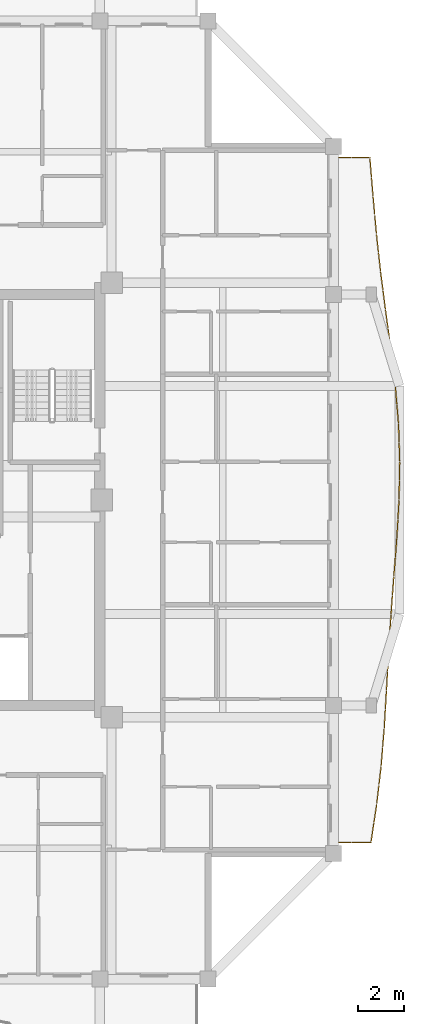
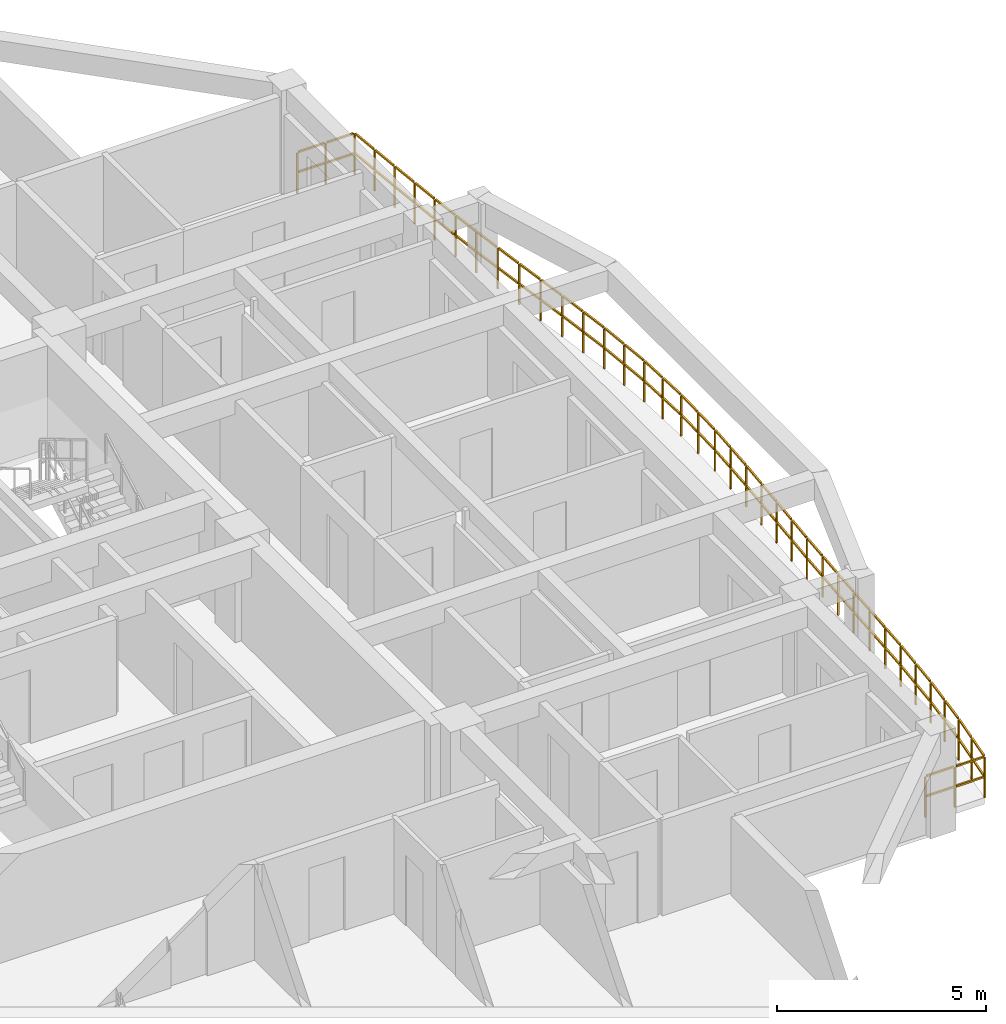
# One storey, part 12 of 13: 1 railing.
"""IFC4 building model written with IfcOpenShell, lengths in metres."""

from ifc_helpers import new_model, si_unit, direction, frame, origin, origin_2d, place, context, subcontext, project, spatial, rectangle, extrude, material, type_object, element, save


model = new_model("IFC4")

# Units and contexts
model_context = context("Model", 3, precision=1e-05, world=origin(), true_north=direction((0.0, 1.0)))
body_context = subcontext(model_context, "Body", "Model", "MODEL_VIEW")
ifc_project = project(units=[si_unit("LENGTHUNIT", "METRE"), si_unit("AREAUNIT", "SQUARE_METRE"), si_unit("VOLUMEUNIT", "CUBIC_METRE"), si_unit("PLANEANGLEUNIT", "RADIAN"), si_unit("MASSUNIT", "GRAM", prefix="KILO")], contexts=[model_context])

# Site, building, storey
site_placement = place(None, origin())
site = spatial("IfcSite", under=ifc_project, at=site_placement, CompositionType="ELEMENT")
building_placement = place(site_placement, origin())
building = spatial("IfcBuilding", under=site, at=building_placement, Name="Saelheon Loggia Tower", CompositionType="ELEMENT")
storey_placement = place(building_placement, frame((0.0, 0.0, 223.199951171875)))
storey = spatial("IfcBuildingStorey", under=building, at=storey_placement, Name="L69", CompositionType="ELEMENT", Elevation=223.199951171875)

# Railing
ifc_material = material(Name="Architectural Precast Concrete and Laminated Glass Guard", Category="concrete")
railing_type = type_object("IfcRailingType", Name="Guard_Loggia_RL_LOG", PredefinedType="BALUSTRADE", material=ifc_material)
railing_placement = place(storey_placement, frame((54.75, 12.0, 0.0)))
element("IfcRailing", 1, at=railing_placement, inside=storey, type_object=railing_type, Name="L69 East Loggia Balustrade", PredefinedType="BALUSTRADE", context=body_context, shape_type="SweptSolid", body=[
    extrude(rectangle(XDim=0.048095703125, YDim=0.048095703125, at=origin_2d()), frame((0.033203125, 0.0, 1.19580078125), z_axis=(1.0, 0.0, 0.0), x_axis=(0.0, 1.0, 0.0)), (0.0, 0.0, 1.0), 0.7509765625),
    extrude(rectangle(XDim=0.048095703125, YDim=0.048095703125, at=origin_2d()), frame((0.033203125, 0.0, 0.60986328125), z_axis=(1.0, 0.0, 0.0), x_axis=(0.0, 1.0, 0.0)), (0.0, 0.0, 1.0), 0.7509765625),
    extrude(rectangle(XDim=0.048095703125, YDim=0.048095703125, at=origin_2d()), frame((0.850830078125, 0.0, 1.19580078125), z_axis=(1.0, 0.0, 0.0), x_axis=(0.0, 1.0, 0.0)), (0.0, 0.0, 1.0), 0.7509765625),
    extrude(rectangle(XDim=0.048095703125, YDim=0.048095703125, at=origin_2d()), frame((0.850830078125, 0.0, 0.60986328125), z_axis=(1.0, 0.0, 0.0), x_axis=(0.0, 1.0, 0.0)), (0.0, 0.0, 1.0), 0.7509765625),
    extrude(rectangle(XDim=0.048095703125, YDim=0.048095703125, at=origin_2d()), frame((1.639892578125, 0.032958984375, 1.19580078125), z_axis=(0.149041602908, 0.988830926196, 0.0), x_axis=(-0.988830926196, 0.149041602908, 0.0)), (0.0, 0.0, 1.0), 0.7763671875),
    extrude(rectangle(XDim=0.048095703125, YDim=0.048095703125, at=origin_2d()), frame((1.639892578125, 0.032958984375, 0.60986328125), z_axis=(0.149041602908, 0.988830926196, 0.0), x_axis=(-0.988830926196, 0.149041602908, 0.0)), (0.0, 0.0, 1.0), 0.7763671875),
    extrude(rectangle(XDim=0.048095703125, YDim=0.048095703125, at=origin_2d()), frame((1.765625, 0.8662109375, 1.19580078125), z_axis=(0.149041602908, 0.988830926196, 0.0), x_axis=(-0.988830926196, 0.149041602908, 0.0)), (0.0, 0.0, 1.0), 0.7763671875),
    extrude(rectangle(XDim=0.048095703125, YDim=0.048095703125, at=origin_2d()), frame((1.765625, 0.8662109375, 0.60986328125), z_axis=(0.149041602908, 0.988830926196, 0.0), x_axis=(-0.988830926196, 0.149041602908, 0.0)), (0.0, 0.0, 1.0), 0.7763671875),
    extrude(rectangle(XDim=0.048095703125, YDim=0.048095703125, at=origin_2d()), frame((1.89013671875, 1.69970703125, 1.19580078125), z_axis=(0.115110168559, 0.993352731458, 0.0), x_axis=(-0.993352731458, 0.115110168559, 0.0)), (0.0, 0.0, 1.0), 0.7724609375),
    extrude(rectangle(XDim=0.048095703125, YDim=0.048095703125, at=origin_2d()), frame((1.89013671875, 1.69970703125, 0.60986328125), z_axis=(0.115110168559, 0.993352731458, 0.0), x_axis=(-0.993352731458, 0.115110168559, 0.0)), (0.0, 0.0, 1.0), 0.7724609375),
    extrude(rectangle(XDim=0.048095703125, YDim=0.048095703125, at=origin_2d()), frame((1.986572265625, 2.532958984375, 1.19580078125), z_axis=(0.115110168559, 0.993352731458, 0.0), x_axis=(-0.993352731458, 0.115110168559, 0.0)), (0.0, 0.0, 1.0), 0.7724609375),
    extrude(rectangle(XDim=0.048095703125, YDim=0.048095703125, at=origin_2d()), frame((1.986572265625, 2.532958984375, 0.60986328125), z_axis=(0.115110168559, 0.993352731458, 0.0), x_axis=(-0.993352731458, 0.115110168559, 0.0)), (0.0, 0.0, 1.0), 0.7724609375),
    extrude(rectangle(XDim=0.048095703125, YDim=0.048095703125, at=origin_2d()), frame((2.08203125, 3.366455078125, 1.19580078125), z_axis=(0.081317613755, 0.996688238966, 0.0), x_axis=(-0.996688238966, 0.081317613755, 0.0)), (0.0, 0.0, 1.0), 0.769775390625),
    extrude(rectangle(XDim=0.048095703125, YDim=0.048095703125, at=origin_2d()), frame((2.08203125, 3.366455078125, 0.60986328125), z_axis=(0.081317613755, 0.996688238966, 0.0), x_axis=(-0.996688238966, 0.081317613755, 0.0)), (0.0, 0.0, 1.0), 0.769775390625),
    extrude(rectangle(XDim=0.048095703125, YDim=0.048095703125, at=origin_2d()), frame((2.150146484375, 4.19970703125, 1.19580078125), z_axis=(0.081317613755, 0.996688238966, 0.0), x_axis=(-0.996688238966, 0.081317613755, 0.0)), (0.0, 0.0, 1.0), 0.769775390625),
    extrude(rectangle(XDim=0.048095703125, YDim=0.048095703125, at=origin_2d()), frame((2.150146484375, 4.19970703125, 0.60986328125), z_axis=(0.081317613755, 0.996688238966, 0.0), x_axis=(-0.996688238966, 0.081317613755, 0.0)), (0.0, 0.0, 1.0), 0.769775390625),
    extrude(rectangle(XDim=0.048095703125, YDim=0.048095703125, at=origin_2d()), frame((2.21728515625, 5.033203125, 1.19580078125), z_axis=(0.059510570368, 0.99822767544, 0.0), x_axis=(-0.99822767544, 0.059510570368, 0.0)), (0.0, 0.0, 1.0), 0.768310546875),
    extrude(rectangle(XDim=0.048095703125, YDim=0.048095703125, at=origin_2d()), frame((2.21728515625, 5.033203125, 0.60986328125), z_axis=(0.059510570368, 0.99822767544, 0.0), x_axis=(-0.99822767544, 0.059510570368, 0.0)), (0.0, 0.0, 1.0), 0.768310546875),
    extrude(rectangle(XDim=0.048095703125, YDim=0.048095703125, at=origin_2d()), frame((2.26708984375, 5.866455078125, 1.19580078125), z_axis=(0.059510570368, 0.99822767544, 0.0), x_axis=(-0.99822767544, 0.059510570368, 0.0)), (0.0, 0.0, 1.0), 0.768310546875),
    extrude(rectangle(XDim=0.048095703125, YDim=0.048095703125, at=origin_2d()), frame((2.26708984375, 5.866455078125, 0.60986328125), z_axis=(0.059510570368, 0.99822767544, 0.0), x_axis=(-0.99822767544, 0.059510570368, 0.0)), (0.0, 0.0, 1.0), 0.768310546875),
    extrude(rectangle(XDim=0.048095703125, YDim=0.048095703125, at=origin_2d()), frame((2.31640625, 6.699951171875, 1.19580078125), z_axis=(0.055000126962, 0.998486347445, 0.0), x_axis=(-0.998486347445, 0.055000126962, 0.0)), (0.0, 0.0, 1.0), 0.76806640625),
    extrude(rectangle(XDim=0.048095703125, YDim=0.048095703125, at=origin_2d()), frame((2.31640625, 6.699951171875, 0.60986328125), z_axis=(0.055000126962, 0.998486347445, 0.0), x_axis=(-0.998486347445, 0.055000126962, 0.0)), (0.0, 0.0, 1.0), 0.76806640625),
    extrude(rectangle(XDim=0.048095703125, YDim=0.048095703125, at=origin_2d()), frame((2.3623046875, 7.533203125, 1.19580078125), z_axis=(0.055000126962, 0.998486347445, 0.0), x_axis=(-0.998486347445, 0.055000126962, 0.0)), (0.0, 0.0, 1.0), 0.76806640625),
    extrude(rectangle(XDim=0.048095703125, YDim=0.048095703125, at=origin_2d()), frame((2.3623046875, 7.533203125, 0.60986328125), z_axis=(0.055000126962, 0.998486347445, 0.0), x_axis=(-0.998486347445, 0.055000126962, 0.0)), (0.0, 0.0, 1.0), 0.76806640625),
    extrude(rectangle(XDim=0.048095703125, YDim=0.048095703125, at=origin_2d()), frame((2.40869140625, 8.366455078125, 1.19580078125), z_axis=(0.063879811167, 0.997957599162, 0.0), x_axis=(-0.997957599162, 0.063879811167, 0.0)), (0.0, 0.0, 1.0), 0.7685546875),
    extrude(rectangle(XDim=0.048095703125, YDim=0.048095703125, at=origin_2d()), frame((2.40869140625, 8.366455078125, 0.60986328125), z_axis=(0.063879811167, 0.997957599162, 0.0), x_axis=(-0.997957599162, 0.063879811167, 0.0)), (0.0, 0.0, 1.0), 0.7685546875),
    extrude(rectangle(XDim=0.048095703125, YDim=0.048095703125, at=origin_2d()), frame((2.4619140625, 9.19970703125, 1.19580078125), z_axis=(0.063879811167, 0.997957599162, 0.0), x_axis=(-0.997957599162, 0.063879811167, 0.0)), (0.0, 0.0, 1.0), 0.7685546875),
    extrude(rectangle(XDim=0.048095703125, YDim=0.048095703125, at=origin_2d()), frame((2.4619140625, 9.19970703125, 0.60986328125), z_axis=(0.063879811167, 0.997957599162, 0.0), x_axis=(-0.997957599162, 0.063879811167, 0.0)), (0.0, 0.0, 1.0), 0.7685546875),
    extrude(rectangle(XDim=0.048095703125, YDim=0.048095703125, at=origin_2d()), frame((2.515625, 10.033203125, 1.19580078125), z_axis=(0.075076807606, 0.997177753943, 0.0), x_axis=(-0.997177753943, 0.075076807606, 0.0)), (0.0, 0.0, 1.0), 0.769287109375),
    extrude(rectangle(XDim=0.048095703125, YDim=0.048095703125, at=origin_2d()), frame((2.515625, 10.033203125, 0.60986328125), z_axis=(0.075076807606, 0.997177753943, 0.0), x_axis=(-0.997177753943, 0.075076807606, 0.0)), (0.0, 0.0, 1.0), 0.769287109375),
    extrude(rectangle(XDim=0.048095703125, YDim=0.048095703125, at=origin_2d()), frame((2.578369140625, 10.866455078125, 1.19580078125), z_axis=(0.075076807606, 0.997177753943, 0.0), x_axis=(-0.997177753943, 0.075076807606, 0.0)), (0.0, 0.0, 1.0), 0.769287109375),
    extrude(rectangle(XDim=0.048095703125, YDim=0.048095703125, at=origin_2d()), frame((2.578369140625, 10.866455078125, 0.60986328125), z_axis=(0.075076807606, 0.997177753943, 0.0), x_axis=(-0.997177753943, 0.075076807606, 0.0)), (0.0, 0.0, 1.0), 0.769287109375),
    extrude(rectangle(XDim=0.048095703125, YDim=0.048095703125, at=origin_2d()), frame((2.64111328125, 11.699951171875, 1.19580078125), z_axis=(0.075959226601, 0.997110924569, 0.0), x_axis=(-0.997110924569, 0.075959226601, 0.0)), (0.0, 0.0, 1.0), 0.769287109375),
    extrude(rectangle(XDim=0.048095703125, YDim=0.048095703125, at=origin_2d()), frame((2.64111328125, 11.699951171875, 0.60986328125), z_axis=(0.075959226601, 0.997110924569, 0.0), x_axis=(-0.997110924569, 0.075959226601, 0.0)), (0.0, 0.0, 1.0), 0.769287109375),
    extrude(rectangle(XDim=0.048095703125, YDim=0.048095703125, at=origin_2d()), frame((2.70458984375, 12.533203125, 1.19580078125), z_axis=(0.075959226601, 0.997110924569, 0.0), x_axis=(-0.997110924569, 0.075959226601, 0.0)), (0.0, 0.0, 1.0), 0.769287109375),
    extrude(rectangle(XDim=0.048095703125, YDim=0.048095703125, at=origin_2d()), frame((2.70458984375, 12.533203125, 0.60986328125), z_axis=(0.075959226601, 0.997110924569, 0.0), x_axis=(-0.997110924569, 0.075959226601, 0.0)), (0.0, 0.0, 1.0), 0.769287109375),
    extrude(rectangle(XDim=0.048095703125, YDim=0.048095703125, at=origin_2d()), frame((2.767578125, 13.366455078125, 1.19580078125), z_axis=(0.057761901726, 0.998330387552, 0.0), x_axis=(-0.998330387552, 0.057761901726, 0.0)), (0.0, 0.0, 1.0), 0.768310546875),
    extrude(rectangle(XDim=0.048095703125, YDim=0.048095703125, at=origin_2d()), frame((2.767578125, 13.366455078125, 0.60986328125), z_axis=(0.057761901726, 0.998330387552, 0.0), x_axis=(-0.998330387552, 0.057761901726, 0.0)), (0.0, 0.0, 1.0), 0.768310546875),
    extrude(rectangle(XDim=0.048095703125, YDim=0.048095703125, at=origin_2d()), frame((2.815673828125, 14.19970703125, 1.19580078125), z_axis=(0.057761901726, 0.998330387552, 0.0), x_axis=(-0.998330387552, 0.057761901726, 0.0)), (0.0, 0.0, 1.0), 0.768310546875),
    extrude(rectangle(XDim=0.048095703125, YDim=0.048095703125, at=origin_2d()), frame((2.815673828125, 14.19970703125, 0.60986328125), z_axis=(0.057761901726, 0.998330387552, 0.0), x_axis=(-0.998330387552, 0.057761901726, 0.0)), (0.0, 0.0, 1.0), 0.768310546875),
    extrude(rectangle(XDim=0.048095703125, YDim=0.048095703125, at=origin_2d()), frame((2.86279296875, 15.033203125, 1.19580078125), z_axis=(0.018892189386, 0.999821526664, 0.0), x_axis=(-0.999821526664, 0.018892189386, 0.0)), (0.0, 0.0, 1.0), 0.76708984375),
    extrude(rectangle(XDim=0.048095703125, YDim=0.048095703125, at=origin_2d()), frame((2.86279296875, 15.033203125, 0.60986328125), z_axis=(0.018892189386, 0.999821526664, 0.0), x_axis=(-0.999821526664, 0.018892189386, 0.0)), (0.0, 0.0, 1.0), 0.76708984375),
    extrude(rectangle(XDim=0.048095703125, YDim=0.048095703125, at=origin_2d()), frame((2.87841796875, 15.86669921875, 1.19580078125), z_axis=(0.018892189386, 0.999821526664, 0.0), x_axis=(-0.999821526664, 0.018892189386, 0.0)), (0.0, 0.0, 1.0), 0.76708984375),
    extrude(rectangle(XDim=0.048095703125, YDim=0.048095703125, at=origin_2d()), frame((2.87841796875, 15.86669921875, 0.60986328125), z_axis=(0.018892189386, 0.999821526664, 0.0), x_axis=(-0.999821526664, 0.018892189386, 0.0)), (0.0, 0.0, 1.0), 0.76708984375),
    extrude(rectangle(XDim=0.048095703125, YDim=0.048095703125, at=origin_2d()), frame((2.892578125, 16.699951171875, 1.19580078125), z_axis=(-0.032944311089, 0.999457188861, 0.0), x_axis=(-0.999457188861, -0.032944311089, 0.0)), (0.0, 0.0, 1.0), 0.767333984375),
    extrude(rectangle(XDim=0.048095703125, YDim=0.048095703125, at=origin_2d()), frame((2.892578125, 16.699951171875, 0.60986328125), z_axis=(-0.032944311089, 0.999457188861, 0.0), x_axis=(-0.999457188861, -0.032944311089, 0.0)), (0.0, 0.0, 1.0), 0.767333984375),
    extrude(rectangle(XDim=0.048095703125, YDim=0.048095703125, at=origin_2d()), frame((2.864990234375, 17.533203125, 1.19580078125), z_axis=(-0.032944311089, 0.999457188861, 0.0), x_axis=(-0.999457188861, -0.032944311089, 0.0)), (0.0, 0.0, 1.0), 0.767333984375),
    extrude(rectangle(XDim=0.048095703125, YDim=0.048095703125, at=origin_2d()), frame((2.864990234375, 17.533203125, 0.60986328125), z_axis=(-0.032944311089, 0.999457188861, 0.0), x_axis=(-0.999457188861, -0.032944311089, 0.0)), (0.0, 0.0, 1.0), 0.767333984375),
    extrude(rectangle(XDim=0.048095703125, YDim=0.048095703125, at=origin_2d()), frame((2.8359375, 18.366455078125, 1.19580078125), z_axis=(-0.083637374408, 0.996496256692, 0.0), x_axis=(-0.996496256692, -0.083637374408, 0.0)), (0.0, 0.0, 1.0), 0.769775390625),
    extrude(rectangle(XDim=0.048095703125, YDim=0.048095703125, at=origin_2d()), frame((2.8359375, 18.366455078125, 0.60986328125), z_axis=(-0.083637374408, 0.996496256692, 0.0), x_axis=(-0.996496256692, -0.083637374408, 0.0)), (0.0, 0.0, 1.0), 0.769775390625),
    extrude(rectangle(XDim=0.048095703125, YDim=0.048095703125, at=origin_2d()), frame((2.765869140625, 19.19970703125, 1.19580078125), z_axis=(-0.083637374408, 0.996496256692, 0.0), x_axis=(-0.996496256692, -0.083637374408, 0.0)), (0.0, 0.0, 1.0), 0.769775390625),
    extrude(rectangle(XDim=0.048095703125, YDim=0.048095703125, at=origin_2d()), frame((2.765869140625, 19.19970703125, 0.60986328125), z_axis=(-0.083637374408, 0.996496256692, 0.0), x_axis=(-0.996496256692, -0.083637374408, 0.0)), (0.0, 0.0, 1.0), 0.769775390625),
    extrude(rectangle(XDim=0.048095703125, YDim=0.048095703125, at=origin_2d()), frame((2.69482421875, 20.032958984375, 1.19580078125), z_axis=(-0.120114226524, 0.992760078058, 0.0), x_axis=(-0.992760078058, -0.120114226524, 0.0)), (0.0, 0.0, 1.0), 0.77294921875),
    extrude(rectangle(XDim=0.048095703125, YDim=0.048095703125, at=origin_2d()), frame((2.69482421875, 20.032958984375, 0.60986328125), z_axis=(-0.120114226524, 0.992760078058, 0.0), x_axis=(-0.992760078058, -0.120114226524, 0.0)), (0.0, 0.0, 1.0), 0.77294921875),
    extrude(rectangle(XDim=0.048095703125, YDim=0.048095703125, at=origin_2d()), frame((2.593994140625, 20.866455078125, 1.19580078125), z_axis=(-0.120114226524, 0.992760078058, 0.0), x_axis=(-0.992760078058, -0.120114226524, 0.0)), (0.0, 0.0, 1.0), 0.77294921875),
    extrude(rectangle(XDim=0.048095703125, YDim=0.048095703125, at=origin_2d()), frame((2.593994140625, 20.866455078125, 0.60986328125), z_axis=(-0.120114226524, 0.992760078058, 0.0), x_axis=(-0.992760078058, -0.120114226524, 0.0)), (0.0, 0.0, 1.0), 0.77294921875),
    extrude(rectangle(XDim=0.048095703125, YDim=0.048095703125, at=origin_2d()), frame((2.49267578125, 21.69970703125, 1.19580078125), z_axis=(-0.134426490543, 0.990923568516, 0.0), x_axis=(-0.990923568516, -0.134426490543, 0.0)), (0.0, 0.0, 1.0), 0.7744140625),
    extrude(rectangle(XDim=0.048095703125, YDim=0.048095703125, at=origin_2d()), frame((2.49267578125, 21.69970703125, 0.60986328125), z_axis=(-0.134426490543, 0.990923568516, 0.0), x_axis=(-0.990923568516, -0.134426490543, 0.0)), (0.0, 0.0, 1.0), 0.7744140625),
    extrude(rectangle(XDim=0.048095703125, YDim=0.048095703125, at=origin_2d()), frame((2.379638671875, 22.532958984375, 1.19580078125), z_axis=(-0.134426490543, 0.990923568516, 0.0), x_axis=(-0.990923568516, -0.134426490543, 0.0)), (0.0, 0.0, 1.0), 0.7744140625),
    extrude(rectangle(XDim=0.048095703125, YDim=0.048095703125, at=origin_2d()), frame((2.379638671875, 22.532958984375, 0.60986328125), z_axis=(-0.134426490543, 0.990923568516, 0.0), x_axis=(-0.990923568516, -0.134426490543, 0.0)), (0.0, 0.0, 1.0), 0.7744140625),
    extrude(rectangle(XDim=0.048095703125, YDim=0.048095703125, at=origin_2d()), frame((2.266845703125, 23.3662109375, 1.19580078125), z_axis=(-0.127842269028, 0.991794512109, 0.0), x_axis=(-0.991794512109, -0.127842269028, 0.0)), (0.0, 0.0, 1.0), 0.773681640625),
    extrude(rectangle(XDim=0.048095703125, YDim=0.048095703125, at=origin_2d()), frame((2.266845703125, 23.3662109375, 0.60986328125), z_axis=(-0.127842269028, 0.991794512109, 0.0), x_axis=(-0.991794512109, -0.127842269028, 0.0)), (0.0, 0.0, 1.0), 0.773681640625),
    extrude(rectangle(XDim=0.048095703125, YDim=0.048095703125, at=origin_2d()), frame((2.159423828125, 24.19970703125, 1.19580078125), z_axis=(-0.127842269028, 0.991794512109, 0.0), x_axis=(-0.991794512109, -0.127842269028, 0.0)), (0.0, 0.0, 1.0), 0.773681640625),
    extrude(rectangle(XDim=0.048095703125, YDim=0.048095703125, at=origin_2d()), frame((2.159423828125, 24.19970703125, 0.60986328125), z_axis=(-0.127842269028, 0.991794512109, 0.0), x_axis=(-0.991794512109, -0.127842269028, 0.0)), (0.0, 0.0, 1.0), 0.773681640625),
    extrude(rectangle(XDim=0.048095703125, YDim=0.048095703125, at=origin_2d()), frame((2.052490234375, 25.032958984375, 1.19580078125), z_axis=(-0.108625418664, 0.9940827523, 0.0), x_axis=(-0.9940827523, -0.108625418664, 0.0)), (0.0, 0.0, 1.0), 0.77197265625),
    extrude(rectangle(XDim=0.048095703125, YDim=0.048095703125, at=origin_2d()), frame((2.052490234375, 25.032958984375, 0.60986328125), z_axis=(-0.108625418664, 0.9940827523, 0.0), x_axis=(-0.9940827523, -0.108625418664, 0.0)), (0.0, 0.0, 1.0), 0.77197265625),
    extrude(rectangle(XDim=0.048095703125, YDim=0.048095703125, at=origin_2d()), frame((1.96142578125, 25.866455078125, 1.19580078125), z_axis=(-0.108625418664, 0.9940827523, 0.0), x_axis=(-0.9940827523, -0.108625418664, 0.0)), (0.0, 0.0, 1.0), 0.77197265625),
    extrude(rectangle(XDim=0.048095703125, YDim=0.048095703125, at=origin_2d()), frame((1.96142578125, 25.866455078125, 0.60986328125), z_axis=(-0.108625418664, 0.9940827523, 0.0), x_axis=(-0.9940827523, -0.108625418664, 0.0)), (0.0, 0.0, 1.0), 0.77197265625),
    extrude(rectangle(XDim=0.048095703125, YDim=0.048095703125, at=origin_2d()), frame((1.87109375, 26.699951171875, 1.19580078125), z_axis=(-0.089733224399, 0.995965836984, 0.0), x_axis=(-0.995965836984, -0.089733224399, 0.0)), (0.0, 0.0, 1.0), 0.770263671875),
    extrude(rectangle(XDim=0.048095703125, YDim=0.048095703125, at=origin_2d()), frame((1.87109375, 26.699951171875, 0.60986328125), z_axis=(-0.089733224399, 0.995965836984, 0.0), x_axis=(-0.995965836984, -0.089733224399, 0.0)), (0.0, 0.0, 1.0), 0.770263671875),
    extrude(rectangle(XDim=0.048095703125, YDim=0.048095703125, at=origin_2d()), frame((1.7958984375, 27.533203125, 1.19580078125), z_axis=(-0.089733224399, 0.995965836984, 0.0), x_axis=(-0.995965836984, -0.089733224399, 0.0)), (0.0, 0.0, 1.0), 0.770263671875),
    extrude(rectangle(XDim=0.048095703125, YDim=0.048095703125, at=origin_2d()), frame((1.7958984375, 27.533203125, 0.60986328125), z_axis=(-0.089733224399, 0.995965836984, 0.0), x_axis=(-0.995965836984, -0.089733224399, 0.0)), (0.0, 0.0, 1.0), 0.770263671875),
    extrude(rectangle(XDim=0.048095703125, YDim=0.048095703125, at=origin_2d()), frame((1.72119140625, 28.366455078125, 1.19580078125), z_axis=(-0.082622644176, 0.996580904227, 0.0), x_axis=(-0.996580904227, -0.082622644176, 0.0)), (0.0, 0.0, 1.0), 0.769775390625),
    extrude(rectangle(XDim=0.048095703125, YDim=0.048095703125, at=origin_2d()), frame((1.72119140625, 28.366455078125, 0.60986328125), z_axis=(-0.082622644176, 0.996580904227, 0.0), x_axis=(-0.996580904227, -0.082622644176, 0.0)), (0.0, 0.0, 1.0), 0.769775390625),
    extrude(rectangle(XDim=0.048095703125, YDim=0.048095703125, at=origin_2d()), frame((1.652099609375, 29.19970703125, 1.19580078125), z_axis=(-0.082622644176, 0.996580904227, 0.0), x_axis=(-0.996580904227, -0.082622644176, 0.0)), (0.0, 0.0, 1.0), 0.769775390625),
    extrude(rectangle(XDim=0.048095703125, YDim=0.048095703125, at=origin_2d()), frame((1.652099609375, 29.19970703125, 0.60986328125), z_axis=(-0.082622644176, 0.996580904227, 0.0), x_axis=(-0.996580904227, -0.082622644176, 0.0)), (0.0, 0.0, 1.0), 0.769775390625),
    extrude(rectangle(XDim=0.048095703125, YDim=0.048095703125, at=origin_2d()), frame((1.552490234375, 30.0, 1.19580078125), z_axis=(-1.0, 0.0, 0.0), x_axis=(0.0, -1.0, 0.0)), (0.0, 0.0, 1.0), 0.726318359375),
    extrude(rectangle(XDim=0.048095703125, YDim=0.048095703125, at=origin_2d()), frame((1.552490234375, 30.0, 0.60986328125), z_axis=(-1.0, 0.0, 0.0), x_axis=(0.0, -1.0, 0.0)), (0.0, 0.0, 1.0), 0.726318359375),
    extrude(rectangle(XDim=0.048095703125, YDim=0.048095703125, at=origin_2d()), frame((0.759521484375, 30.0, 1.19580078125), z_axis=(-1.0, 0.0, 0.0), x_axis=(0.0, -1.0, 0.0)), (0.0, 0.0, 1.0), 0.726318359375),
    extrude(rectangle(XDim=0.048095703125, YDim=0.048095703125, at=origin_2d()), frame((0.759521484375, 30.0, 0.60986328125), z_axis=(-1.0, 0.0, 0.0), x_axis=(0.0, -1.0, 0.0)), (0.0, 0.0, 1.0), 0.726318359375),
    extrude(rectangle(XDim=0.0419921875, YDim=0.0419921875, at=origin_2d()), origin(), (0.0, 0.0, 1.0), 1.16796875),
    extrude(rectangle(XDim=0.0419921875, YDim=0.0419921875, at=origin_2d()), frame((0.8173828125, 0.0, 0.0)), (0.0, 0.0, 1.0), 1.16796875),
    extrude(rectangle(XDim=0.0419921875, YDim=0.0419921875, at=origin_2d()), frame((1.635009765625, 0.0, 0.0)), (0.0, 0.0, 1.0), 1.16796875),
    extrude(rectangle(XDim=0.0419921875, YDim=0.0419921875, at=origin_2d()), frame((1.7607421875, 0.83349609375, 0.0)), (0.0, 0.0, 1.0), 1.16796875),
    extrude(rectangle(XDim=0.0419921875, YDim=0.0419921875, at=origin_2d()), frame((1.88623046875, 1.666748046875, 0.0)), (0.0, 0.0, 1.0), 1.16796875),
    extrude(rectangle(XDim=0.0419921875, YDim=0.0419921875, at=origin_2d()), frame((1.98291015625, 2.5, 0.0)), (0.0, 0.0, 1.0), 1.16796875),
    extrude(rectangle(XDim=0.0419921875, YDim=0.0419921875, at=origin_2d()), frame((2.079345703125, 3.333251953125, 0.0)), (0.0, 0.0, 1.0), 1.16796875),
    extrude(rectangle(XDim=0.0419921875, YDim=0.0419921875, at=origin_2d()), frame((2.1474609375, 4.16650390625, 0.0)), (0.0, 0.0, 1.0), 1.16796875),
    extrude(rectangle(XDim=0.0419921875, YDim=0.0419921875, at=origin_2d()), frame((2.21533203125, 5.0, 0.0)), (0.0, 0.0, 1.0), 1.16796875),
    extrude(rectangle(XDim=0.0419921875, YDim=0.0419921875, at=origin_2d()), frame((2.26513671875, 5.83349609375, 0.0)), (0.0, 0.0, 1.0), 1.16796875),
    extrude(rectangle(XDim=0.0419921875, YDim=0.0419921875, at=origin_2d()), frame((2.314697265625, 6.666748046875, 0.0)), (0.0, 0.0, 1.0), 1.16796875),
    extrude(rectangle(XDim=0.0419921875, YDim=0.0419921875, at=origin_2d()), frame((2.360595703125, 7.5, 0.0)), (0.0, 0.0, 1.0), 1.16796875),
    extrude(rectangle(XDim=0.0419921875, YDim=0.0419921875, at=origin_2d()), frame((2.406494140625, 8.333251953125, 0.0)), (0.0, 0.0, 1.0), 1.16796875),
    extrude(rectangle(XDim=0.0419921875, YDim=0.0419921875, at=origin_2d()), frame((2.4599609375, 9.16650390625, 0.0)), (0.0, 0.0, 1.0), 1.16796875),
    extrude(rectangle(XDim=0.0419921875, YDim=0.0419921875, at=origin_2d()), frame((2.51318359375, 10.0, 0.0)), (0.0, 0.0, 1.0), 1.16796875),
    extrude(rectangle(XDim=0.0419921875, YDim=0.0419921875, at=origin_2d()), frame((2.575927734375, 10.83349609375, 0.0)), (0.0, 0.0, 1.0), 1.16796875),
    extrude(rectangle(XDim=0.0419921875, YDim=0.0419921875, at=origin_2d()), frame((2.638671875, 11.666748046875, 0.0)), (0.0, 0.0, 1.0), 1.16796875),
    extrude(rectangle(XDim=0.0419921875, YDim=0.0419921875, at=origin_2d()), frame((2.7021484375, 12.5, 0.0)), (0.0, 0.0, 1.0), 1.16796875),
    extrude(rectangle(XDim=0.0419921875, YDim=0.0419921875, at=origin_2d()), frame((2.765625, 13.333251953125, 0.0)), (0.0, 0.0, 1.0), 1.16796875),
    extrude(rectangle(XDim=0.0419921875, YDim=0.0419921875, at=origin_2d()), frame((2.81396484375, 14.16650390625, 0.0)), (0.0, 0.0, 1.0), 1.16796875),
    extrude(rectangle(XDim=0.0419921875, YDim=0.0419921875, at=origin_2d()), frame((2.862060546875, 15.0, 0.0)), (0.0, 0.0, 1.0), 1.16796875),
    extrude(rectangle(XDim=0.0419921875, YDim=0.0419921875, at=origin_2d()), frame((2.8779296875, 15.83349609375, 0.0)), (0.0, 0.0, 1.0), 1.16796875),
    extrude(rectangle(XDim=0.0419921875, YDim=0.0419921875, at=origin_2d()), frame((2.8935546875, 16.666748046875, 0.0)), (0.0, 0.0, 1.0), 1.16796875),
    extrude(rectangle(XDim=0.0419921875, YDim=0.0419921875, at=origin_2d()), frame((2.8662109375, 17.5, 0.0)), (0.0, 0.0, 1.0), 1.16796875),
    extrude(rectangle(XDim=0.0419921875, YDim=0.0419921875, at=origin_2d()), frame((2.838623046875, 18.333251953125, 0.0)), (0.0, 0.0, 1.0), 1.16796875),
    extrude(rectangle(XDim=0.0419921875, YDim=0.0419921875, at=origin_2d()), frame((2.7685546875, 19.16650390625, 0.0)), (0.0, 0.0, 1.0), 1.16796875),
    extrude(rectangle(XDim=0.0419921875, YDim=0.0419921875, at=origin_2d()), frame((2.69873046875, 20.0, 0.0)), (0.0, 0.0, 1.0), 1.16796875),
    extrude(rectangle(XDim=0.0419921875, YDim=0.0419921875, at=origin_2d()), frame((2.597900390625, 20.83349609375, 0.0)), (0.0, 0.0, 1.0), 1.16796875),
    extrude(rectangle(XDim=0.0419921875, YDim=0.0419921875, at=origin_2d()), frame((2.4970703125, 21.666748046875, 0.0)), (0.0, 0.0, 1.0), 1.16796875),
    extrude(rectangle(XDim=0.0419921875, YDim=0.0419921875, at=origin_2d()), frame((2.384033203125, 22.5, 0.0)), (0.0, 0.0, 1.0), 1.16796875),
    extrude(rectangle(XDim=0.0419921875, YDim=0.0419921875, at=origin_2d()), frame((2.27099609375, 23.333251953125, 0.0)), (0.0, 0.0, 1.0), 1.16796875),
    extrude(rectangle(XDim=0.0419921875, YDim=0.0419921875, at=origin_2d()), frame((2.16357421875, 24.16650390625, 0.0)), (0.0, 0.0, 1.0), 1.16796875),
    extrude(rectangle(XDim=0.0419921875, YDim=0.0419921875, at=origin_2d()), frame((2.05615234375, 25.0, 0.0)), (0.0, 0.0, 1.0), 1.16796875),
    extrude(rectangle(XDim=0.0419921875, YDim=0.0419921875, at=origin_2d()), frame((1.965087890625, 25.83349609375, 0.0)), (0.0, 0.0, 1.0), 1.16796875),
    extrude(rectangle(XDim=0.0419921875, YDim=0.0419921875, at=origin_2d()), frame((1.8740234375, 26.666748046875, 0.0)), (0.0, 0.0, 1.0), 1.16796875),
    extrude(rectangle(XDim=0.0419921875, YDim=0.0419921875, at=origin_2d()), frame((1.798828125, 27.5, 0.0)), (0.0, 0.0, 1.0), 1.16796875),
    extrude(rectangle(XDim=0.0419921875, YDim=0.0419921875, at=origin_2d()), frame((1.723876953125, 28.333251953125, 0.0)), (0.0, 0.0, 1.0), 1.16796875),
    extrude(rectangle(XDim=0.0419921875, YDim=0.0419921875, at=origin_2d()), frame((1.65478515625, 29.16650390625, 0.0)), (0.0, 0.0, 1.0), 1.16796875),
    extrude(rectangle(XDim=0.0419921875, YDim=0.0419921875, at=origin_2d()), frame((1.585693359375, 30.0, 0.0)), (0.0, 0.0, 1.0), 1.16796875),
    extrude(rectangle(XDim=0.0419921875, YDim=0.0419921875, at=origin_2d()), frame((0.79296875, 30.0, 0.0)), (0.0, 0.0, 1.0), 1.16796875),
    extrude(rectangle(XDim=0.0419921875, YDim=0.0419921875, at=origin_2d()), frame((0.0, 30.0, 0.0)), (0.0, 0.0, 1.0), 1.16796875),
])

save(model, "model.ifc")
